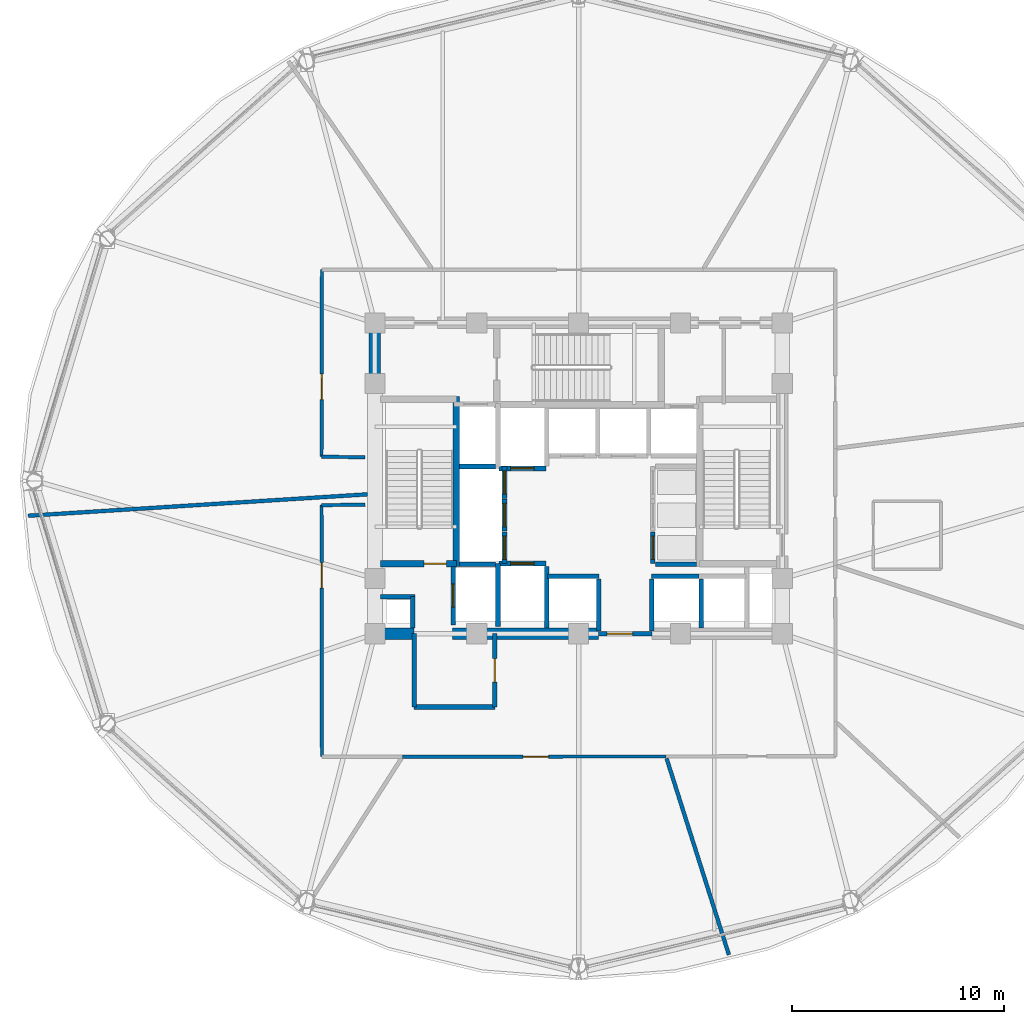
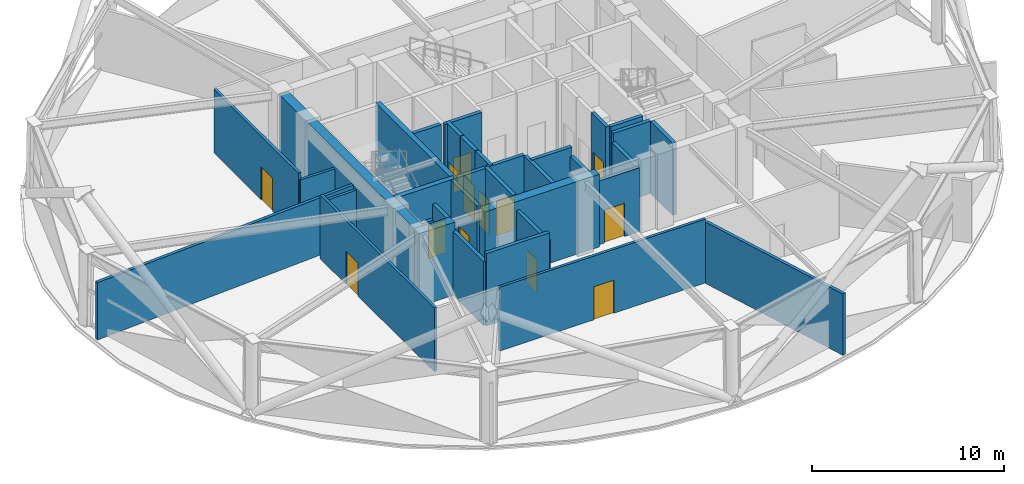
# One storey, part 10 of 17: 35 walls, 13 doors, 13 openings.
"""IFC4 building model written with IfcOpenShell, lengths in metres."""

from ifc_helpers import new_model, si_unit, direction, frame, frame_2d, origin, place, context, subcontext, project, spatial, rectangle, extrude, material, layer, layer_set, type_object, element, fill, save


model = new_model("IFC4")

# Units and contexts
model_context = context("Model", 3, precision=1e-05, world=origin(), true_north=direction((0.0, 1.0)))
body_context = subcontext(model_context, "Body", "Model", "MODEL_VIEW")
ifc_project = project(units=[si_unit("LENGTHUNIT", "METRE"), si_unit("AREAUNIT", "SQUARE_METRE"), si_unit("VOLUMEUNIT", "CUBIC_METRE"), si_unit("PLANEANGLEUNIT", "RADIAN"), si_unit("MASSUNIT", "GRAM", prefix="KILO")], contexts=[model_context])

# Site, building, storey
site_placement = place(None, origin())
site = spatial("IfcSite", under=ifc_project, at=site_placement, CompositionType="ELEMENT")
building_placement = place(site_placement, origin())
building = spatial("IfcBuilding", under=site, at=building_placement, Name="Vantalir Tower", CompositionType="ELEMENT")
storey_placement = place(building_placement, frame((0.0, 0.0, 96.14990234375)))
storey = spatial("IfcBuildingStorey", under=building, at=storey_placement, Name="L23", CompositionType="ELEMENT", Elevation=96.14990234375)

# Walls
ifc_material_1 = material(Name="Concrete C60/75", Category="concrete")
ifc_layer_1 = layer(ifc_material_1, 0.550048828125)
ifc_layer_set_1 = layer_set([ifc_layer_1], Name="Concrete C60/75")
wall_type_1 = type_object("IfcWallType", Name="WL-CORE-550", PredefinedType="SHEAR", material=ifc_layer_set_1)
wall_1_placement = place(storey_placement, frame((21.625, 17.800048828125, 0.0), z_axis=(0.0, 0.0, 1.0), x_axis=(1.0, 0.0, 0.0)))
element("IfcWall", 1, at=wall_1_placement, inside=storey, type_object=wall_type_1, Name="L23 Core Shear Wall South-West", PredefinedType="SHEAR", context=body_context, shape_type="SweptSolid", body=[
    extrude(rectangle(XDim=2.125, YDim=0.550048828125, at=frame_2d((1.0625, 0.0))), origin(), (0.0, 0.0, 1.0), 4.6201171875),
])
wall_2_placement = place(storey_placement, frame((25.550048828125, 17.800048828125, 0.0), z_axis=(0.0, 0.0, 1.0), x_axis=(1.0, 0.0, 0.0)))
element("IfcWall", 2, at=wall_2_placement, inside=storey, type_object=wall_type_1, Name="L23 Core Shear Wall South-Mid", PredefinedType="SHEAR", context=body_context, shape_type="SweptSolid", body=[
    extrude(rectangle(XDim=6.89990234375, YDim=0.550048828125, at=frame_2d((3.449951171875, 0.0))), origin(), (0.0, 0.0, 1.0), 4.6201171875),
])
wall_3_placement = place(storey_placement, frame((21.89990234375, 18.074951171875, 0.0), z_axis=(0.0, 0.0, 1.0), x_axis=(0.0, 1.0, 0.0)))
element("IfcWall", 3, at=wall_3_placement, inside=storey, type_object=wall_type_1, Name="L23 Core Shear Wall West", PredefinedType="SHEAR", context=body_context, shape_type="SweptSolid", body=[
    extrude(rectangle(XDim=14.10009765625, YDim=0.550048828125, at=frame_2d((7.050048828125, 0.0))), origin(), (0.0, 0.0, 1.0), 4.6201171875),
])
ifc_material_2 = material(Name="Fire-rated hotel corridor acoustic partition", Category="gypsum")
ifc_layer_2 = layer(ifc_material_2, 0.159912109375)
ifc_layer_set_2 = layer_set([ifc_layer_2], Name="Fire-rated hotel corridor acoustic partition")
wall_type_2 = type_object("IfcWallType", Name="WL-CORR-160", PredefinedType="PARTITIONING", material=ifc_layer_set_2)
wall_4_placement = place(storey_placement, frame((21.445068359375, 26.117919921875, 0.0), z_axis=(0.0, 0.0, 1.0), x_axis=(-0.999931114419, 0.011737393921, 0.0)))
element("IfcWall", 4, at=wall_4_placement, inside=storey, type_object=wall_type_2, Name="L23 Corridor Partition 01", PredefinedType="PARTITIONING", context=body_context, shape_type="SweptSolid", body=[
    extrude(rectangle(XDim=2.059326171875, YDim=0.159912109375, at=frame_2d((1.02978515625, 0.0))), origin(), (0.0, 0.0, 1.0), 3.64501953125),
])

# Wall, opening, door
wall_5_placement = place(storey_placement, frame((19.385986328125, 26.14208984375, 0.0), z_axis=(0.0, 0.0, 1.0), x_axis=(0.002270330269, 0.999997422797, 0.0)))
wall_5 = element("IfcWall", 5, at=wall_5_placement, inside=storey, type_object=wall_type_2, Name="L23 Corridor Partition 02", PredefinedType="PARTITIONING", context=body_context, shape_type="SweptSolid", body=[
    extrude(rectangle(XDim=8.81787109375, YDim=0.159912109375, at=frame_2d((4.408935546875, 0.0))), origin(), (0.0, 0.0, 1.0), 4.05615234375),
])
opening_1_placement = place(wall_5_placement, frame((2.69189453125, 0.0, 0.0)))
opening_1 = element("IfcOpeningElement", 6, at=opening_1_placement, cuts=wall_5, Name="Opening D-STE", PredefinedType="OPENING", context=body_context, shape_type="SweptSolid", body=[
    extrude(rectangle(XDim=1.199951171875, YDim=2.10009765625, at=frame_2d((0.60009765625, 1.050048828125))), frame((0.0, 0.08984375, 0.0), z_axis=(0.0, -1.0, 0.0), x_axis=(1.0, 0.0, 0.0)), (0.0, 0.0, 1.0), 0.179931640625),
])
ifc_material_3 = material(Name="Solid-core teak veneer suite entrance door", Category="wood")
door_type_1 = type_object("IfcDoorType", Name="DR-SUITE-ENTRY-1200", OperationType="NOTDEFINED", PredefinedType="DOOR", material=ifc_material_3)
door_1_placement = place(opening_1_placement, origin())
door_1 = element("IfcDoor", 7, at=door_1_placement, inside=storey, type_object=door_type_1, Name="L23 Commercial Sky Pantry Kitchen Door", OperationType="SINGLE_SWING_RIGHT", OverallHeight=2.10009765625, OverallWidth=1.199951171875, PredefinedType="DOOR", context=body_context, shape_type="SweptSolid", body=[
    extrude(rectangle(XDim=1.199951171875, YDim=2.10009765625, at=frame_2d((0.60009765625, 1.050048828125))), frame((0.0, 0.02490234375, 0.0), z_axis=(0.0, -1.0, 0.0), x_axis=(1.0, 0.0, 0.0)), (0.0, 0.0, 1.0), 0.050048828125),
])
fill(opening_1, door_1)

wall_6_placement = place(storey_placement, frame((35.618896484375, 12.01611328125, 0.0), z_axis=(0.0, 0.0, 1.0), x_axis=(-0.999999735423, -0.000727429817, 0.0)))
wall_6 = element("IfcWall", 8, at=wall_6_placement, inside=storey, type_object=wall_type_2, Name="L23 Corridor Partition 11", PredefinedType="PARTITIONING", context=body_context, shape_type="SweptSolid", body=[
    extrude(rectangle(XDim=12.41796875, YDim=0.159912109375, at=frame_2d((6.208984375, 0.0))), origin(), (0.0, 0.0, 1.0), 4.05615234375),
])
opening_2_placement = place(wall_6_placement, frame((5.533935546875, 0.0, 0.0)))
opening_2 = element("IfcOpeningElement", 9, at=opening_2_placement, cuts=wall_6, Name="Opening D-STE", PredefinedType="OPENING", context=body_context, shape_type="SweptSolid", body=[
    extrude(rectangle(XDim=1.199951171875, YDim=2.10009765625, at=frame_2d((0.60009765625, 1.050048828125))), frame((0.0, 0.08984375, 0.0), z_axis=(0.0, -1.0, 0.0), x_axis=(1.0, 0.0, 0.0)), (0.0, 0.0, 1.0), 0.179931640625),
])
door_2_placement = place(opening_2_placement, origin())
door_2 = element("IfcDoor", 10, at=door_2_placement, inside=storey, type_object=door_type_1, Name="L23 Executive Sky Boardroom Door", OperationType="SINGLE_SWING_RIGHT", OverallHeight=2.10009765625, OverallWidth=1.199951171875, PredefinedType="DOOR", context=body_context, shape_type="SweptSolid", body=[
    extrude(rectangle(XDim=1.199951171875, YDim=2.10009765625, at=frame_2d((0.60009765625, 1.050048828125))), frame((0.0, 0.02490234375, 0.0), z_axis=(0.0, -1.0, 0.0), x_axis=(1.0, 0.0, 0.0)), (0.0, 0.0, 1.0), 0.050048828125),
])
fill(opening_2, door_2)

wall_7_placement = place(storey_placement, frame((19.406005859375, 12.0048828125, 0.0), z_axis=(0.0, 0.0, 1.0), x_axis=(-0.001688978024, 0.999998573676, 0.0)))
wall_7 = element("IfcWall", 11, at=wall_7_placement, inside=storey, type_object=wall_type_2, Name="L23 Corridor Partition 13", PredefinedType="PARTITIONING", context=body_context, shape_type="SweptSolid", body=[
    extrude(rectangle(XDim=11.85302734375, YDim=0.159912109375, at=frame_2d((5.926513671875, 0.0))), origin(), (0.0, 0.0, 1.0), 4.05615234375),
])
opening_3_placement = place(wall_7_placement, frame((7.947021484375, 0.0, 0.0)))
opening_3 = element("IfcOpeningElement", 12, at=opening_3_placement, cuts=wall_7, Name="Opening D-STE", PredefinedType="OPENING", context=body_context, shape_type="SweptSolid", body=[
    extrude(rectangle(XDim=1.199951171875, YDim=2.10009765625, at=frame_2d((0.60009765625, 1.050048828125))), frame((0.0, 0.08984375, 0.0), z_axis=(0.0, -1.0, 0.0), x_axis=(1.0, 0.0, 0.0)), (0.0, 0.0, 1.0), 0.179931640625),
])
door_3_placement = place(opening_3_placement, origin())
door_3 = element("IfcDoor", 13, at=door_3_placement, inside=storey, type_object=door_type_1, Name="L23 Hotel Executive Administration Office Door", OperationType="SINGLE_SWING_LEFT", OverallHeight=2.10009765625, OverallWidth=1.199951171875, PredefinedType="DOOR", context=body_context, shape_type="SweptSolid", body=[
    extrude(rectangle(XDim=1.199951171875, YDim=2.10009765625, at=frame_2d((0.60009765625, 1.050048828125))), frame((0.0, 0.02490234375, 0.0), z_axis=(0.0, -1.0, 0.0), x_axis=(1.0, 0.0, 0.0)), (0.0, 0.0, 1.0), 0.050048828125),
])
fill(opening_3, door_3)

# Walls
wall_8_placement = place(storey_placement, frame((19.385986328125, 23.85791015625, 0.0), z_axis=(0.0, 0.0, 1.0), x_axis=(0.999900475067, 0.014108152304, 0.0)))
element("IfcWall", 14, at=wall_8_placement, inside=storey, type_object=wall_type_2, Name="L23 Corridor Partition 14", PredefinedType="PARTITIONING", context=body_context, shape_type="SweptSolid", body=[
    extrude(rectangle(XDim=2.059326171875, YDim=0.159912109375, at=frame_2d((1.02978515625, 0.0))), origin(), (0.0, 0.0, 1.0), 3.64501953125),
])
ifc_material_4 = material(Name="Concrete blockwork with fireboard lining", Category="masonry")
ifc_layer_3 = layer(ifc_material_4, 0.219970703125)
ifc_layer_set_3 = layer_set([ifc_layer_3], Name="Concrete blockwork with fireboard lining")
wall_type_3 = type_object("IfcWallType", Name="WL-FFL-220", PredefinedType="PARTITIONING", material=ifc_layer_set_3)
wall_9_placement = place(storey_placement, frame((30.0, 18.080078125, 0.0), z_axis=(0.0, 0.0, 1.0), x_axis=(0.0, 1.0, 0.0)))
element("IfcWall", 15, at=wall_9_placement, inside=storey, type_object=wall_type_3, Name="L23 Service Lift SV1 East Shaft Wall", PredefinedType="PARTITIONING", context=body_context, shape_type="SweptSolid", body=[
    extrude(rectangle(XDim=2.89990234375, YDim=0.219970703125, at=frame_2d((1.449951171875, 0.0))), origin(), (0.0, 0.0, 1.0), 4.59521484375),
])
for number, where, z_axis, x_axis, name in (
    (16, (32.449951171875, 17.919921875, 0.0), (0.0, 0.0, 1.0), (0.0, 1.0, 0.0), "L23 Shuttle Lift PL-X1 East Shaft Cheek"),
    (17, (34.949951171875, 17.919921875, 0.0), (0.0, 0.0, 1.0), (0.0, 1.0, 0.0), "L23 Shuttle Lift PL-X3 West Shaft Cheek"),
):
    element("IfcWall", number, at=place(storey_placement, frame(where, z_axis=z_axis, x_axis=x_axis)), inside=storey, type_object=wall_type_3, Name=name, PredefinedType="PARTITIONING", context=body_context, shape_type="SweptSolid", body=[
        extrude(rectangle(XDim=2.469970703125, YDim=0.219970703125, at=frame_2d((1.23486328125, 0.0))), origin(), (0.0, 0.0, 1.0), 4.05615234375),
    ])
wall_10_placement = place(storey_placement, frame((37.27490234375, 18.080078125, 0.0), z_axis=(0.0, 0.0, 1.0), x_axis=(0.0, 1.0, 0.0)))
element("IfcWall", 18, at=wall_10_placement, inside=storey, type_object=wall_type_3, Name="L23 Shuttle Lift PL-X2/X3 Shaft Divider", PredefinedType="PARTITIONING", context=body_context, shape_type="SweptSolid", body=[
    extrude(rectangle(XDim=2.309814453125, YDim=0.219970703125, at=frame_2d((1.15478515625, 0.0))), origin(), (0.0, 0.0, 1.0), 4.59521484375),
])

# Wall, opening, door
wall_11_placement = place(storey_placement, frame((32.449951171875, 17.800048828125, 0.0), z_axis=(0.0, 0.0, 1.0), x_axis=(1.0, 0.0, 0.0)))
wall_11 = element("IfcWall", 19, at=wall_11_placement, inside=storey, type_object=wall_type_3, Name="L23 Passenger Lift Lobby South Wall", PredefinedType="PARTITIONING", context=body_context, shape_type="SweptSolid", body=[
    extrude(rectangle(XDim=2.5, YDim=0.219970703125, at=frame_2d((1.25, 0.0))), origin(), (0.0, 0.0, 1.0), 4.05615234375),
])
opening_4_placement = place(wall_11_placement, frame((0.39990234375, 0.0, 0.0)))
opening_4 = element("IfcOpeningElement", 20, at=opening_4_placement, cuts=wall_11, Name="Opening D-STE", PredefinedType="OPENING", context=body_context, shape_type="SweptSolid", body=[
    extrude(rectangle(XDim=1.199951171875, YDim=2.10009765625, at=frame_2d((0.60009765625, 1.050048828125))), frame((0.0, 0.119873046875, 0.0), z_axis=(0.0, -1.0, 0.0), x_axis=(1.0, 0.0, 0.0)), (0.0, 0.0, 1.0), 0.239990234375),
])
door_4_placement = place(opening_4_placement, origin())
door_4 = element("IfcDoor", 21, at=door_4_placement, inside=storey, type_object=door_type_1, Name="L23 Passenger Lift Lobby Concourse Door", OperationType="SINGLE_SWING_RIGHT", OverallHeight=2.10009765625, OverallWidth=1.199951171875, PredefinedType="DOOR", context=body_context, shape_type="SweptSolid", body=[
    extrude(rectangle(XDim=1.199951171875, YDim=2.10009765625, at=frame_2d((0.60009765625, 1.050048828125))), frame((0.0, 0.02490234375, 0.0), z_axis=(0.0, -1.0, 0.0), x_axis=(1.0, 0.0, 0.0)), (0.0, 0.0, 1.0), 0.050048828125),
])
fill(opening_4, door_4)

# Walls
wall_12_placement = place(storey_placement, frame((23.679931640625, 18.074951171875, 0.0), z_axis=(0.0, 0.0, 1.0), x_axis=(0.0, 1.0, 0.0)))
element("IfcWall", 22, at=wall_12_placement, inside=storey, type_object=wall_type_3, Name="L23 West MEP Riser Wall E", PredefinedType="PARTITIONING", context=body_context, shape_type="SweptSolid", body=[
    extrude(rectangle(XDim=1.47509765625, YDim=0.219970703125, at=frame_2d((0.737548828125, 0.0))), origin(), (0.0, 0.0, 1.0), 4.60009765625),
])
wall_13_placement = place(storey_placement, frame((22.175048828125, 19.550048828125, 0.0), z_axis=(0.0, 0.0, 1.0), x_axis=(1.0, 0.0, 0.0)))
element("IfcWall", 23, at=wall_13_placement, inside=storey, type_object=wall_type_3, Name="L23 West MEP Riser Wall N", PredefinedType="PARTITIONING", context=body_context, shape_type="SweptSolid", body=[
    extrude(rectangle(XDim=1.614990234375, YDim=0.219970703125, at=frame_2d((0.8076171875, 0.0))), origin(), (0.0, 0.0, 1.0), 3.64501953125),
])

# Wall, opening, door
wall_14_placement = place(storey_placement, frame((25.590087890625, 18.219970703125, 0.0), z_axis=(0.0, 0.0, 1.0), x_axis=(0.0, 1.0, 0.0)))
wall_14 = element("IfcWall", 24, at=wall_14_placement, inside=storey, type_object=wall_type_3, Name="L23 Lift FL1 Shaft Front Wall", PredefinedType="PARTITIONING", context=body_context, shape_type="SweptSolid", body=[
    extrude(rectangle(XDim=2.760009765625, YDim=0.219970703125, at=frame_2d((1.3798828125, 0.0))), origin(), (0.0, 0.0, 1.0), 4.60009765625),
])
opening_5_placement = place(wall_14_placement, frame((0.830078125, 0.0, 0.0)))
opening_5 = element("IfcOpeningElement", 25, at=opening_5_placement, cuts=wall_14, Name="Opening LD-FL1", PredefinedType="OPENING", context=body_context, shape_type="SweptSolid", body=[
    extrude(rectangle(XDim=1.10009765625, YDim=2.199951171875, at=frame_2d((0.550048828125, 1.10009765625))), frame((0.0, 0.119873046875, 0.0), z_axis=(0.0, -1.0, 0.0), x_axis=(1.0, 0.0, 0.0)), (0.0, 0.0, 1.0), 0.239990234375),
])
ifc_material_5 = material(Name="Brushed stainless-steel sliding lift landing door", Category="steel")
door_type_2 = type_object("IfcDoorType", Name="DR-LIFT-LANDING-1100", OperationType="DOUBLE_DOOR_SLIDING", PredefinedType="DOOR", material=ifc_material_5)
door_5_placement = place(opening_5_placement, origin())
door_5 = element("IfcDoor", 26, at=door_5_placement, inside=storey, type_object=door_type_2, Name="L23 Lift Landing Door FL1", OperationType="DOUBLE_DOOR_SLIDING", OverallHeight=2.199951171875, OverallWidth=1.10009765625, PredefinedType="DOOR", context=body_context, shape_type="SweptSolid", body=[
    extrude(rectangle(XDim=1.10009765625, YDim=2.199951171875, at=frame_2d((0.550048828125, 1.10009765625))), frame((0.0, 0.02490234375, 0.0), z_axis=(0.0, -1.0, 0.0), x_axis=(1.0, 0.0, 0.0)), (0.0, 0.0, 1.0), 0.050048828125),
])
fill(opening_5, door_5)

wall_15_placement = place(storey_placement, frame((27.739990234375, 21.110107421875, 0.0), z_axis=(0.0, 0.0, 1.0), x_axis=(1.0, 0.0, 0.0)))
wall_15 = element("IfcWall", 27, at=wall_15_placement, inside=storey, type_object=wall_type_3, Name="L23 Lift SV1 Shaft Front Wall", PredefinedType="PARTITIONING", context=body_context, shape_type="SweptSolid", body=[
    extrude(rectangle(XDim=2.219970703125, YDim=0.219970703125, at=frame_2d((1.10986328125, 0.0))), origin(), (0.0, 0.0, 1.0), 4.60009765625),
])
opening_6_placement = place(wall_15_placement, frame((0.56005859375, 0.0, 0.0)))
opening_6 = element("IfcOpeningElement", 28, at=opening_6_placement, cuts=wall_15, Name="Opening LD-SV1", PredefinedType="OPENING", context=body_context, shape_type="SweptSolid", body=[
    extrude(rectangle(XDim=1.10009765625, YDim=2.199951171875, at=frame_2d((0.550048828125, 1.10009765625))), frame((0.0, 0.119873046875, 0.0), z_axis=(0.0, -1.0, 0.0), x_axis=(1.0, 0.0, 0.0)), (0.0, 0.0, 1.0), 0.239990234375),
])
door_6_placement = place(opening_6_placement, origin())
door_6 = element("IfcDoor", 29, at=door_6_placement, inside=storey, type_object=door_type_2, Name="L23 Lift Landing Door SV1", OperationType="DOUBLE_DOOR_SLIDING", OverallHeight=2.199951171875, OverallWidth=1.10009765625, PredefinedType="DOOR", context=body_context, shape_type="SweptSolid", body=[
    extrude(rectangle(XDim=1.10009765625, YDim=2.199951171875, at=frame_2d((0.550048828125, 1.10009765625))), frame((0.0, 0.02490234375, 0.0), z_axis=(0.0, -1.0, 0.0), x_axis=(1.0, 0.0, 0.0)), (0.0, 0.0, 1.0), 0.050048828125),
])
fill(opening_6, door_6)

wall_16_placement = place(storey_placement, frame((27.739990234375, 25.590087890625, 0.0), z_axis=(0.0, 0.0, 1.0), x_axis=(1.0, 0.0, 0.0)))
wall_16 = element("IfcWall", 30, at=wall_16_placement, inside=storey, type_object=wall_type_3, Name="L23 Lift SV2 Shaft Front Wall", PredefinedType="PARTITIONING", context=body_context, shape_type="SweptSolid", body=[
    extrude(rectangle(XDim=2.219970703125, YDim=0.219970703125, at=frame_2d((1.10986328125, 0.0))), origin(), (0.0, 0.0, 1.0), 4.60009765625),
])
opening_7_placement = place(wall_16_placement, frame((0.56005859375, 0.0, 0.0)))
opening_7 = element("IfcOpeningElement", 31, at=opening_7_placement, cuts=wall_16, Name="Opening LD-SV2", PredefinedType="OPENING", context=body_context, shape_type="SweptSolid", body=[
    extrude(rectangle(XDim=1.10009765625, YDim=2.199951171875, at=frame_2d((0.550048828125, 1.10009765625))), frame((0.0, 0.119873046875, 0.0), z_axis=(0.0, -1.0, 0.0), x_axis=(1.0, 0.0, 0.0)), (0.0, 0.0, 1.0), 0.239990234375),
])
door_7_placement = place(opening_7_placement, frame((1.10009765625, 0.0, 0.0), z_axis=(0.0, 0.0, 1.0), x_axis=(-1.0, 0.0, 0.0)))
door_7 = element("IfcDoor", 32, at=door_7_placement, inside=storey, type_object=door_type_2, Name="L23 Lift Landing Door SV2", OperationType="DOUBLE_DOOR_SLIDING", OverallHeight=2.199951171875, OverallWidth=1.10009765625, PredefinedType="DOOR", context=body_context, shape_type="SweptSolid", body=[
    extrude(rectangle(XDim=1.10009765625, YDim=2.199951171875, at=frame_2d((0.550048828125, 1.10009765625))), frame((0.0, 0.02490234375, 0.0), z_axis=(0.0, -1.0, 0.0), x_axis=(1.0, 0.0, 0.0)), (0.0, 0.0, 1.0), 0.050048828125),
])
fill(opening_7, door_7)

# Walls
wall_17_placement = place(storey_placement, frame((30.0400390625, 20.510009765625, 0.0), z_axis=(0.0, 0.0, 1.0), x_axis=(1.0, 0.0, 0.0)))
element("IfcWall", 33, at=wall_17_placement, inside=storey, type_object=wall_type_3, Name="L23 Lift PL-X1 Shaft Front Wall", PredefinedType="PARTITIONING", context=body_context, shape_type="SweptSolid", body=[
    extrude(rectangle(XDim=2.419921875, YDim=0.219970703125, at=frame_2d((1.2099609375, 0.0))), origin(), (0.0, 0.0, 1.0), 4.60009765625),
])
wall_18_placement = place(storey_placement, frame((34.93994140625, 20.510009765625, 0.0), z_axis=(0.0, 0.0, 1.0), x_axis=(1.0, 0.0, 0.0)))
element("IfcWall", 34, at=wall_18_placement, inside=storey, type_object=wall_type_3, Name="L23 Lift PL-X3 Shaft Front Wall", PredefinedType="PARTITIONING", context=body_context, shape_type="SweptSolid", body=[
    extrude(rectangle(XDim=2.239990234375, YDim=0.219970703125, at=frame_2d((1.1201171875, 0.0))), origin(), (0.0, 0.0, 1.0), 4.60009765625),
])

# Wall, opening, door
wall_19_placement = place(storey_placement, frame((28.010009765625, 21.10009765625, 0.0), z_axis=(0.0, 0.0, 1.0), x_axis=(0.0, 1.0, 0.0)))
wall_19 = element("IfcWall", 35, at=wall_19_placement, inside=storey, type_object=wall_type_3, Name="L23 Lift PL-L1 Shaft Front Wall", PredefinedType="PARTITIONING", context=body_context, shape_type="SweptSolid", body=[
    extrude(rectangle(XDim=1.5, YDim=0.219970703125, at=frame_2d((0.75, 0.0))), origin(), (0.0, 0.0, 1.0), 4.60009765625),
])
opening_8_placement = place(wall_19_placement, frame((0.199951171875, 0.0, 0.0)))
opening_8 = element("IfcOpeningElement", 36, at=opening_8_placement, cuts=wall_19, Name="Opening LD-PL-L1", PredefinedType="OPENING", context=body_context, shape_type="SweptSolid", body=[
    extrude(rectangle(XDim=1.10009765625, YDim=2.199951171875, at=frame_2d((0.550048828125, 1.10009765625))), frame((0.0, 0.119873046875, 0.0), z_axis=(0.0, -1.0, 0.0), x_axis=(1.0, 0.0, 0.0)), (0.0, 0.0, 1.0), 0.239990234375),
])
door_8_placement = place(opening_8_placement, frame((1.10009765625, 0.0, 0.0), z_axis=(0.0, 0.0, 1.0), x_axis=(-1.0, 0.0, 0.0)))
door_8 = element("IfcDoor", 37, at=door_8_placement, inside=storey, type_object=door_type_2, Name="L23 Lift Landing Door PL-L1", OperationType="DOUBLE_DOOR_SLIDING", OverallHeight=2.199951171875, OverallWidth=1.10009765625, PredefinedType="DOOR", context=body_context, shape_type="SweptSolid", body=[
    extrude(rectangle(XDim=1.10009765625, YDim=2.199951171875, at=frame_2d((0.550048828125, 1.10009765625))), frame((0.0, 0.02490234375, 0.0), z_axis=(0.0, -1.0, 0.0), x_axis=(1.0, 0.0, 0.0)), (0.0, 0.0, 1.0), 0.050048828125),
])
fill(opening_8, door_8)

wall_20_placement = place(storey_placement, frame((28.010009765625, 22.639892578125, 0.0), z_axis=(0.0, 0.0, 1.0), x_axis=(0.0, 1.0, 0.0)))
wall_20 = element("IfcWall", 38, at=wall_20_placement, inside=storey, type_object=wall_type_3, Name="L23 Lift PL-L2 Shaft Front Wall", PredefinedType="PARTITIONING", context=body_context, shape_type="SweptSolid", body=[
    extrude(rectangle(XDim=1.5, YDim=0.219970703125, at=frame_2d((0.75, 0.0))), origin(), (0.0, 0.0, 1.0), 4.60009765625),
])
opening_9_placement = place(wall_20_placement, frame((0.199951171875, 0.0, 0.0)))
opening_9 = element("IfcOpeningElement", 39, at=opening_9_placement, cuts=wall_20, Name="Opening LD-PL-L2", PredefinedType="OPENING", context=body_context, shape_type="SweptSolid", body=[
    extrude(rectangle(XDim=1.10009765625, YDim=2.199951171875, at=frame_2d((0.550048828125, 1.10009765625))), frame((0.0, 0.119873046875, 0.0), z_axis=(0.0, -1.0, 0.0), x_axis=(1.0, 0.0, 0.0)), (0.0, 0.0, 1.0), 0.239990234375),
])
door_9_placement = place(opening_9_placement, frame((1.10009765625, 0.0, 0.0), z_axis=(0.0, 0.0, 1.0), x_axis=(-1.0, 0.0, 0.0)))
door_9 = element("IfcDoor", 40, at=door_9_placement, inside=storey, type_object=door_type_2, Name="L23 Lift Landing Door PL-L2", OperationType="DOUBLE_DOOR_SLIDING", OverallHeight=2.199951171875, OverallWidth=1.10009765625, PredefinedType="DOOR", context=body_context, shape_type="SweptSolid", body=[
    extrude(rectangle(XDim=1.10009765625, YDim=2.199951171875, at=frame_2d((0.550048828125, 1.10009765625))), frame((0.0, 0.02490234375, 0.0), z_axis=(0.0, -1.0, 0.0), x_axis=(1.0, 0.0, 0.0)), (0.0, 0.0, 1.0), 0.050048828125),
])
fill(opening_9, door_9)

wall_21_placement = place(storey_placement, frame((28.010009765625, 24.179931640625, 0.0), z_axis=(0.0, 0.0, 1.0), x_axis=(0.0, 1.0, 0.0)))
wall_21 = element("IfcWall", 41, at=wall_21_placement, inside=storey, type_object=wall_type_3, Name="L23 Lift PL-L3 Shaft Front Wall", PredefinedType="PARTITIONING", context=body_context, shape_type="SweptSolid", body=[
    extrude(rectangle(XDim=1.5, YDim=0.219970703125, at=frame_2d((0.75, 0.0))), origin(), (0.0, 0.0, 1.0), 4.60009765625),
])
opening_10_placement = place(wall_21_placement, frame((0.199951171875, 0.0, 0.0)))
opening_10 = element("IfcOpeningElement", 42, at=opening_10_placement, cuts=wall_21, Name="Opening LD-PL-L3", PredefinedType="OPENING", context=body_context, shape_type="SweptSolid", body=[
    extrude(rectangle(XDim=1.10009765625, YDim=2.199951171875, at=frame_2d((0.550048828125, 1.10009765625))), frame((0.0, 0.119873046875, 0.0), z_axis=(0.0, -1.0, 0.0), x_axis=(1.0, 0.0, 0.0)), (0.0, 0.0, 1.0), 0.239990234375),
])
door_10_placement = place(opening_10_placement, frame((1.10009765625, 0.0, 0.0), z_axis=(0.0, 0.0, 1.0), x_axis=(-1.0, 0.0, 0.0)))
door_10 = element("IfcDoor", 43, at=door_10_placement, inside=storey, type_object=door_type_2, Name="L23 Lift Landing Door PL-L3", OperationType="DOUBLE_DOOR_SLIDING", OverallHeight=2.199951171875, OverallWidth=1.10009765625, PredefinedType="DOOR", context=body_context, shape_type="SweptSolid", body=[
    extrude(rectangle(XDim=1.10009765625, YDim=2.199951171875, at=frame_2d((0.550048828125, 1.10009765625))), frame((0.0, 0.02490234375, 0.0), z_axis=(0.0, -1.0, 0.0), x_axis=(1.0, 0.0, 0.0)), (0.0, 0.0, 1.0), 0.050048828125),
])
fill(opening_10, door_10)

wall_22_placement = place(storey_placement, frame((34.989990234375, 21.10009765625, 0.0), z_axis=(0.0, 0.0, 1.0), x_axis=(0.0, 1.0, 0.0)))
wall_22 = element("IfcWall", 44, at=wall_22_placement, inside=storey, type_object=wall_type_3, Name="L23 Lift PL-M1 Shaft Front Wall", PredefinedType="PARTITIONING", context=body_context, shape_type="SweptSolid", body=[
    extrude(rectangle(XDim=1.5, YDim=0.219970703125, at=frame_2d((0.75, 0.0))), origin(), (0.0, 0.0, 1.0), 4.60009765625),
])
opening_11_placement = place(wall_22_placement, frame((0.199951171875, 0.0, 0.0)))
opening_11 = element("IfcOpeningElement", 45, at=opening_11_placement, cuts=wall_22, Name="Opening LD-PL-M1", PredefinedType="OPENING", context=body_context, shape_type="SweptSolid", body=[
    extrude(rectangle(XDim=1.10009765625, YDim=2.199951171875, at=frame_2d((0.550048828125, 1.10009765625))), frame((0.0, 0.119873046875, 0.0), z_axis=(0.0, -1.0, 0.0), x_axis=(1.0, 0.0, 0.0)), (0.0, 0.0, 1.0), 0.239990234375),
])
door_11_placement = place(opening_11_placement, origin())
door_11 = element("IfcDoor", 46, at=door_11_placement, inside=storey, type_object=door_type_2, Name="L23 Lift Landing Door PL-M1", OperationType="DOUBLE_DOOR_SLIDING", OverallHeight=2.199951171875, OverallWidth=1.10009765625, PredefinedType="DOOR", context=body_context, shape_type="SweptSolid", body=[
    extrude(rectangle(XDim=1.10009765625, YDim=2.199951171875, at=frame_2d((0.550048828125, 1.10009765625))), frame((0.0, 0.02490234375, 0.0), z_axis=(0.0, -1.0, 0.0), x_axis=(1.0, 0.0, 0.0)), (0.0, 0.0, 1.0), 0.050048828125),
])
fill(opening_11, door_11)

# Walls
wall_23_placement = place(storey_placement, frame((27.699951171875, 18.14990234375, 0.0), z_axis=(0.0, 0.0, 1.0), x_axis=(0.0, 1.0, 0.0)))
element("IfcWall", 47, at=wall_23_placement, inside=storey, type_object=wall_type_3, Name="L23 Fire Lift FL1 Dividing Wall", PredefinedType="PARTITIONING", context=body_context, shape_type="SweptSolid", body=[
    extrude(rectangle(XDim=2.9501953125, YDim=0.219970703125, at=frame_2d((1.47509765625, 0.0))), origin(), (0.0, 0.0, 1.0), 4.60009765625),
])
for number, where, z_axis, x_axis, name in (
    (48, (25.8798828125, 21.080078125, 0.0), (0.0, 0.0, 1.0), (1.0, 0.0, 0.0), "L23 Low-Rise Bank South Wall"),
    (49, (25.8798828125, 25.679931640625, 0.0), (0.0, 0.0, 1.0), (1.0, 0.0, 0.0), "L23 Low-Rise Bank North Wall"),
):
    element("IfcWall", number, at=place(storey_placement, frame(where, z_axis=z_axis, x_axis=x_axis)), inside=storey, type_object=wall_type_3, Name=name, PredefinedType="PARTITIONING", context=body_context, shape_type="SweptSolid", body=[
        extrude(rectangle(XDim=1.7001953125, YDim=0.219970703125, at=frame_2d((0.85009765625, 0.0))), origin(), (0.0, 0.0, 1.0), 4.60009765625),
    ])
wall_24_placement = place(storey_placement, frame((35.1201171875, 21.080078125, 0.0), z_axis=(0.0, 0.0, 1.0), x_axis=(1.0, 0.0, 0.0)))
element("IfcWall", 50, at=wall_24_placement, inside=storey, type_object=wall_type_3, Name="L23 Mid-Rise Bank South Wall", PredefinedType="PARTITIONING", context=body_context, shape_type="SweptSolid", body=[
    extrude(rectangle(XDim=1.93994140625, YDim=0.219970703125, at=frame_2d((0.969970703125, 0.0))), origin(), (0.0, 0.0, 1.0), 4.60009765625),
])
wall_25_placement = place(storey_placement, frame((23.75, 14.35009765625, 0.0), z_axis=(0.0, 0.0, 1.0), x_axis=(0.0, 1.0, 0.0)))
element("IfcWall", 51, at=wall_25_placement, inside=storey, type_object=wall_type_3, Name="L23 Firefighting Lobby West Outer W", PredefinedType="PARTITIONING", context=body_context, shape_type="SweptSolid", body=[
    extrude(rectangle(XDim=3.449951171875, YDim=0.219970703125, at=frame_2d((1.72509765625, 0.0))), origin(), (0.0, 0.0, 1.0), 4.05615234375),
])
wall_26_placement = place(storey_placement, frame((23.75, 14.35009765625, 0.0), z_axis=(0.0, 0.0, 1.0), x_axis=(1.0, 0.0, 0.0)))
element("IfcWall", 52, at=wall_26_placement, inside=storey, type_object=wall_type_3, Name="L23 Firefighting Lobby West South Wall", PredefinedType="PARTITIONING", context=body_context, shape_type="SweptSolid", body=[
    extrude(rectangle(XDim=3.800048828125, YDim=0.219970703125, at=frame_2d((1.89990234375, 0.0))), origin(), (0.0, 0.0, 1.0), 4.60009765625),
])

# Wall, opening, door
wall_27_placement = place(storey_placement, frame((27.550048828125, 14.35009765625, 0.0), z_axis=(0.0, 0.0, 1.0), x_axis=(0.0, 1.0, 0.0)))
wall_27 = element("IfcWall", 53, at=wall_27_placement, inside=storey, type_object=wall_type_3, Name="L23 Firefighting Lobby West East Wall", PredefinedType="PARTITIONING", context=body_context, shape_type="SweptSolid", body=[
    extrude(rectangle(XDim=3.449951171875, YDim=0.219970703125, at=frame_2d((1.72509765625, 0.0))), origin(), (0.0, 0.0, 1.0), 4.05615234375),
])
opening_12_placement = place(wall_27_placement, frame((1.175048828125, 0.0, 0.0)))
opening_12 = element("IfcOpeningElement", 54, at=opening_12_placement, cuts=wall_27, Name="Opening D-FFL", PredefinedType="OPENING", context=body_context, shape_type="SweptSolid", body=[
    extrude(rectangle(XDim=1.10009765625, YDim=2.10009765625, at=frame_2d((0.550048828125, 1.050048828125))), frame((0.0, 0.119873046875, 0.0), z_axis=(0.0, -1.0, 0.0), x_axis=(1.0, 0.0, 0.0)), (0.0, 0.0, 1.0), 0.239990234375),
])
ifc_material_6 = material(Name="Fire-rated acoustic steel door", Category="steel")
door_type_3 = type_object("IfcDoorType", Name="DR-FIRE-LOBBY-1100", OperationType="NOTDEFINED", PredefinedType="DOOR", material=ifc_material_6)
door_12_placement = place(opening_12_placement, origin())
door_12 = element("IfcDoor", 55, at=door_12_placement, inside=storey, type_object=door_type_3, Name="L23 Firefighting Lobby West Access Door", OperationType="SINGLE_SWING_RIGHT", OverallHeight=2.10009765625, OverallWidth=1.10009765625, PredefinedType="DOOR", context=body_context, shape_type="SweptSolid", body=[
    extrude(rectangle(XDim=1.10009765625, YDim=2.10009765625, at=frame_2d((0.550048828125, 1.050048828125))), frame((0.0, 0.02490234375, 0.0), z_axis=(0.0, -1.0, 0.0), x_axis=(1.0, 0.0, 0.0)), (0.0, 0.0, 1.0), 0.050048828125),
])
fill(opening_12, door_12)

# Walls
ifc_material_7 = material(Name="Twin-stud acoustic fire-rated gypsum partition", Category="gypsum")
ifc_layer_4 = layer(ifc_material_7, 0.179931640625)
ifc_layer_set_4 = layer_set([ifc_layer_4], Name="Twin-stud acoustic fire-rated gypsum partition")
wall_type_4 = type_object("IfcWallType", Name="WL-GUEST-180", PredefinedType="PARTITIONING", material=ifc_layer_set_4)
wall_28_placement = place(storey_placement, frame((21.550048828125, 24.37109375, 0.0), z_axis=(0.0, 0.0, 1.0), x_axis=(-0.998010790875, -0.06304332873, 0.0)))
element("IfcWall", 56, at=wall_28_placement, inside=storey, type_object=wall_type_4, Name="L23 Radial Suite Partition 04", PredefinedType="PARTITIONING", context=body_context, shape_type="SweptSolid", body=[
    extrude(rectangle(XDim=16.02099609375, YDim=0.179931640625, at=frame_2d((8.010498046875, 0.0))), origin(), (0.0, 0.0, 1.0), 3.64501953125),
])
wall_29_placement = place(storey_placement, frame((35.64794921875, 11.925048828125, 0.0), z_axis=(0.0, 0.0, 1.0), x_axis=(0.302411603484, -0.95317743473, 0.0)))
element("IfcWall", 57, at=wall_29_placement, inside=storey, type_object=wall_type_4, Name="L23 Radial Suite Partition 06", PredefinedType="PARTITIONING", context=body_context, shape_type="SweptSolid", body=[
    extrude(rectangle(XDim=9.708740234375, YDim=0.179931640625, at=frame_2d((4.8544921875, 0.0))), origin(), (0.0, 0.0, 1.0), 3.901123046875),
])

# Wall, opening, door
ifc_material_8 = material(Name="Concrete C50/60", Category="concrete")
ifc_layer_5 = layer(ifc_material_8, 0.300048828125)
ifc_layer_set_5 = layer_set([ifc_layer_5], Name="Concrete C50/60")
wall_type_5 = type_object("IfcWallType", Name="WL-STAIR-300", PredefinedType="SHEAR", material=ifc_layer_set_5)
wall_30_placement = place(storey_placement, frame((22.175048828125, 21.10009765625, 0.0), z_axis=(0.0, 0.0, 1.0), x_axis=(1.0, 0.0, 0.0)))
wall_30 = element("IfcWall", 58, at=wall_30_placement, inside=storey, type_object=wall_type_5, Name="L23 Stair ST1 South Wall", PredefinedType="SHEAR", context=body_context, shape_type="SweptSolid", body=[
    extrude(rectangle(XDim=3.56494140625, YDim=0.300048828125, at=frame_2d((1.782470703125, 0.0))), origin(), (0.0, 0.0, 1.0), 4.6201171875),
])
opening_13_placement = place(wall_30_placement, frame((2.044921875, 0.0, 0.0)))
opening_13 = element("IfcOpeningElement", 59, at=opening_13_placement, cuts=wall_30, Name="Opening D-ST", PredefinedType="OPENING", context=body_context, shape_type="SweptSolid", body=[
    extrude(rectangle(XDim=1.050048828125, YDim=2.10009765625, at=frame_2d((0.52490234375, 1.050048828125))), frame((0.0, 0.159912109375, 0.0), z_axis=(0.0, -1.0, 0.0), x_axis=(1.0, 0.0, 0.0)), (0.0, 0.0, 1.0), 0.320068359375),
])
ifc_material_9 = material(Name="Fire-rated steel door leaf", Category="steel")
door_type_4 = type_object("IfcDoorType", Name="DR-FIRE-STAIR-1050", OperationType="NOTDEFINED", PredefinedType="DOOR", material=ifc_material_9)
door_13_placement = place(opening_13_placement, origin())
door_13 = element("IfcDoor", 60, at=door_13_placement, inside=storey, type_object=door_type_4, Name="L23 Exit Stair ST1 Fire Door", OperationType="SINGLE_SWING_RIGHT", OverallHeight=2.10009765625, OverallWidth=1.050048828125, PredefinedType="DOOR", context=body_context, shape_type="SweptSolid", body=[
    extrude(rectangle(XDim=1.050048828125, YDim=2.10009765625, at=frame_2d((0.52490234375, 1.050048828125))), frame((0.0, 0.02490234375, 0.0), z_axis=(0.0, -1.0, 0.0), x_axis=(1.0, 0.0, 0.0)), (0.0, 0.0, 1.0), 0.050048828125),
])
fill(opening_13, door_13)

# Wall
wall_31_placement = place(storey_placement, frame((25.739990234375, 20.97998046875, 0.0), z_axis=(0.0, 0.0, 1.0), x_axis=(0.0, 1.0, 0.0)))
element("IfcWall", 61, at=wall_31_placement, inside=storey, type_object=wall_type_5, Name="L23 Stair ST1 East Wall", PredefinedType="SHEAR", context=body_context, shape_type="SweptSolid", body=[
    extrude(rectangle(XDim=7.989990234375, YDim=0.300048828125, at=frame_2d((3.9951171875, 0.0))), origin(), (0.0, 0.0, 1.0), 4.6201171875),
])

save(model, "model.ifc")
